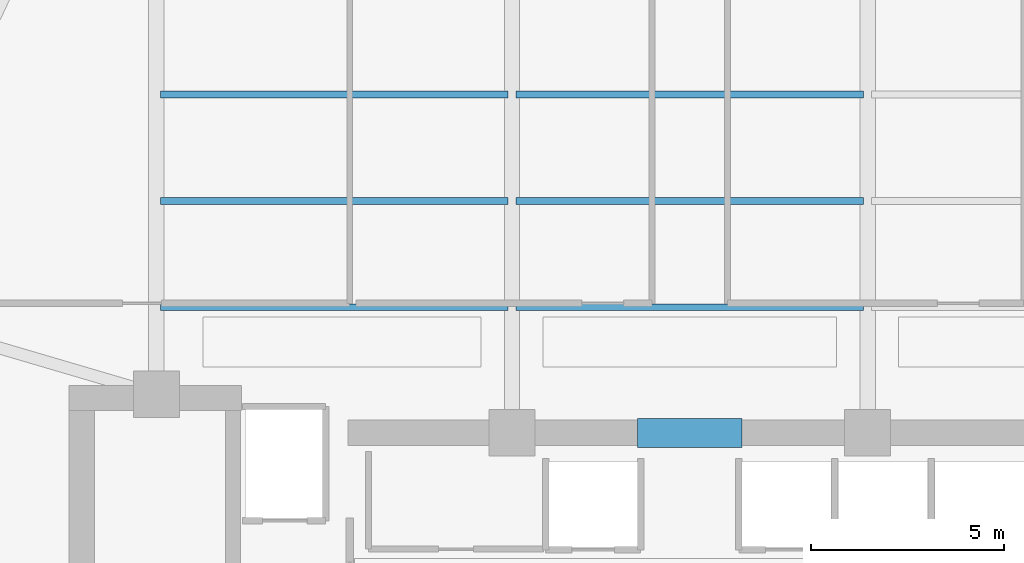
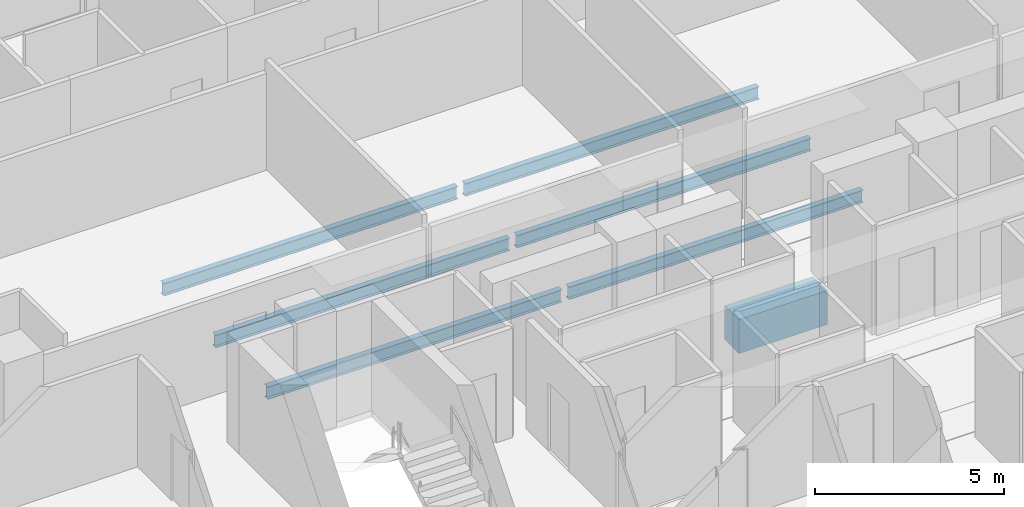
# One storey, part 8 of 32: 7 beams.
"""IFC4 building model written with IfcOpenShell, lengths in metres."""

from ifc_helpers import new_model, si_unit, direction, frame, origin, origin_2d, place, context, subcontext, project, spatial, rectangle, i_section, extrude, material, material_profile, profile_set, type_object, element, save


model = new_model("IFC4")

# Units and contexts
model_context = context("Model", 3, precision=1e-05, world=origin(), true_north=direction((0.0, 1.0)))
body_context = subcontext(model_context, "Body", "Model", "MODEL_VIEW")
ifc_project = project(units=[si_unit("LENGTHUNIT", "METRE"), si_unit("AREAUNIT", "SQUARE_METRE"), si_unit("VOLUMEUNIT", "CUBIC_METRE"), si_unit("PLANEANGLEUNIT", "RADIAN"), si_unit("MASSUNIT", "GRAM", prefix="KILO")], contexts=[model_context])

# Site, building, storey
site_placement = place(None, origin())
site = spatial("IfcSite", under=ifc_project, at=site_placement, CompositionType="ELEMENT")
building_placement = place(site_placement, origin())
building = spatial("IfcBuilding", under=site, at=building_placement, Name="Zuhayl Quay Hotel", CompositionType="ELEMENT")
storey_placement = place(building_placement, frame((0.0, 0.0, 226.14990234375)))
storey = spatial("IfcBuildingStorey", under=building, at=storey_placement, Name="L57", CompositionType="ELEMENT", Elevation=226.14990234375)

# Beams
ifc_material_1 = material(Name="Concrete C60/75", Category="concrete")
ifc_material_profile_1 = material_profile(ifc_material_1, rectangle(XDim=0.75, YDim=1.10009765625, at=origin_2d()), Name="RC750X1100")
ifc_profile_set_1 = profile_set([ifc_material_profile_1], Name="Concrete C60/75")
beam_type_1 = type_object("IfcBeamType", Name="BM_CB2_RC750", PredefinedType="T_BEAM", material=ifc_profile_set_1)
beam_1_placement = place(storey_placement, frame((-1.35009765625, 13.35009765625, -0.77001953125), z_axis=(1.0, 0.0, 0.0), x_axis=(0.0, 1.0, 0.0)))
element("IfcBeam", 1, at=beam_1_placement, inside=storey, type_object=beam_type_1, Name="L57 Core Coupling Beam North", PredefinedType="T_BEAM", context=body_context, shape_type="SweptSolid", body=[
    extrude(rectangle(XDim=0.75, YDim=1.10009765625, at=origin_2d()), origin(), (0.0, 0.0, 1.0), 2.7001953125),
])
ifc_material_2 = material(Name="Steel ASTM A992 Grade 50", Category="steel")
ifc_material_profile_2 = material_profile(ifc_material_2, i_section(OverallWidth=0.177978515625, OverallDepth=0.406005859375, WebThickness=0.0078125, FlangeThickness=0.0126953125, at=origin_2d()), Name="W16X40")
ifc_profile_set_2 = profile_set([ifc_material_profile_2], Name="Steel ASTM A992 Grade 50")
beam_type_2 = type_object("IfcBeamType", Name="BM_J2B_W16X40", PredefinedType="JOIST", material=ifc_profile_set_2)
beam_2_placement = place(storey_placement, frame((-13.694091796875, 16.60009765625, -0.4228515625), z_axis=(1.0, 0.0, 0.0), x_axis=(0.0, 1.0, 0.0)))
element("IfcBeam", 2, at=beam_2_placement, inside=storey, type_object=beam_type_2, Name="L57 Floor Beam FJ_L57_1_1", PredefinedType="JOIST", context=body_context, shape_type="SweptSolid", body=[
    extrude(i_section(OverallWidth=0.177978515625, OverallDepth=0.406005859375, WebThickness=0.0078125, FlangeThickness=0.0126953125, at=origin_2d()), origin(), (0.0, 0.0, 1.0), 8.988037109375),
])
beam_3_placement = place(storey_placement, frame((-4.493896484375, 16.60009765625, -0.4228515625), z_axis=(1.0, 0.0, 0.0), x_axis=(0.0, 1.0, 0.0)))
element("IfcBeam", 3, at=beam_3_placement, inside=storey, type_object=beam_type_2, Name="L57 Floor Beam FJ_L57_1_2", PredefinedType="JOIST", context=body_context, shape_type="SweptSolid", body=[
    extrude(i_section(OverallWidth=0.177978515625, OverallDepth=0.406005859375, WebThickness=0.0078125, FlangeThickness=0.0126953125, at=origin_2d()), origin(), (0.0, 0.0, 1.0), 8.98779296875),
])
beam_4_placement = place(storey_placement, frame((-13.694091796875, 19.35009765625, -0.4228515625), z_axis=(1.0, 0.0, 0.0), x_axis=(0.0, 1.0, 0.0)))
element("IfcBeam", 4, at=beam_4_placement, inside=storey, type_object=beam_type_2, Name="L57 Floor Beam FJ_L57_2_1", PredefinedType="JOIST", context=body_context, shape_type="SweptSolid", body=[
    extrude(i_section(OverallWidth=0.177978515625, OverallDepth=0.406005859375, WebThickness=0.0078125, FlangeThickness=0.0126953125, at=origin_2d()), origin(), (0.0, 0.0, 1.0), 8.988037109375),
])
beam_5_placement = place(storey_placement, frame((-4.493896484375, 19.35009765625, -0.4228515625), z_axis=(1.0, 0.0, 0.0), x_axis=(0.0, 1.0, 0.0)))
element("IfcBeam", 5, at=beam_5_placement, inside=storey, type_object=beam_type_2, Name="L57 Floor Beam FJ_L57_2_2", PredefinedType="JOIST", context=body_context, shape_type="SweptSolid", body=[
    extrude(i_section(OverallWidth=0.177978515625, OverallDepth=0.406005859375, WebThickness=0.0078125, FlangeThickness=0.0126953125, at=origin_2d()), origin(), (0.0, 0.0, 1.0), 8.98779296875),
])
beam_6_placement = place(storey_placement, frame((-13.694091796875, 22.10009765625, -0.4228515625), z_axis=(1.0, 0.0, 0.0), x_axis=(0.0, 1.0, 0.0)))
element("IfcBeam", 6, at=beam_6_placement, inside=storey, type_object=beam_type_2, Name="L57 Floor Beam FJ_L57_3_1", PredefinedType="JOIST", context=body_context, shape_type="SweptSolid", body=[
    extrude(i_section(OverallWidth=0.177978515625, OverallDepth=0.406005859375, WebThickness=0.0078125, FlangeThickness=0.0126953125, at=origin_2d()), origin(), (0.0, 0.0, 1.0), 8.988037109375),
])
beam_7_placement = place(storey_placement, frame((-4.493896484375, 22.10009765625, -0.4228515625), z_axis=(1.0, 0.0, 0.0), x_axis=(0.0, 1.0, 0.0)))
element("IfcBeam", 7, at=beam_7_placement, inside=storey, type_object=beam_type_2, Name="L57 Floor Beam FJ_L57_3_2", PredefinedType="JOIST", context=body_context, shape_type="SweptSolid", body=[
    extrude(i_section(OverallWidth=0.177978515625, OverallDepth=0.406005859375, WebThickness=0.0078125, FlangeThickness=0.0126953125, at=origin_2d()), origin(), (0.0, 0.0, 1.0), 8.98779296875),
])

save(model, "model.ifc")
